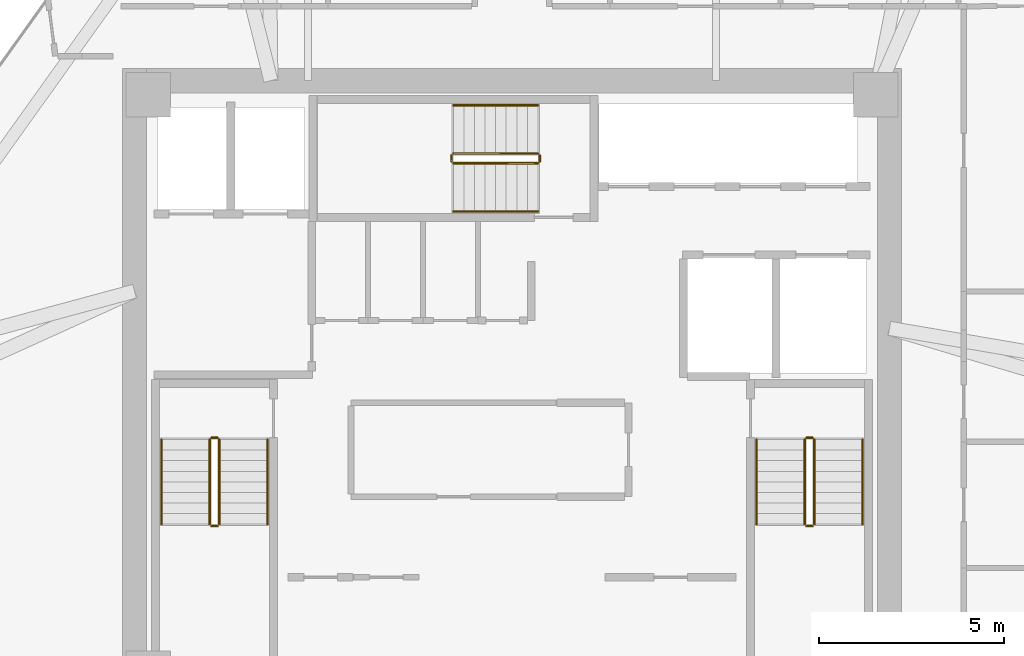
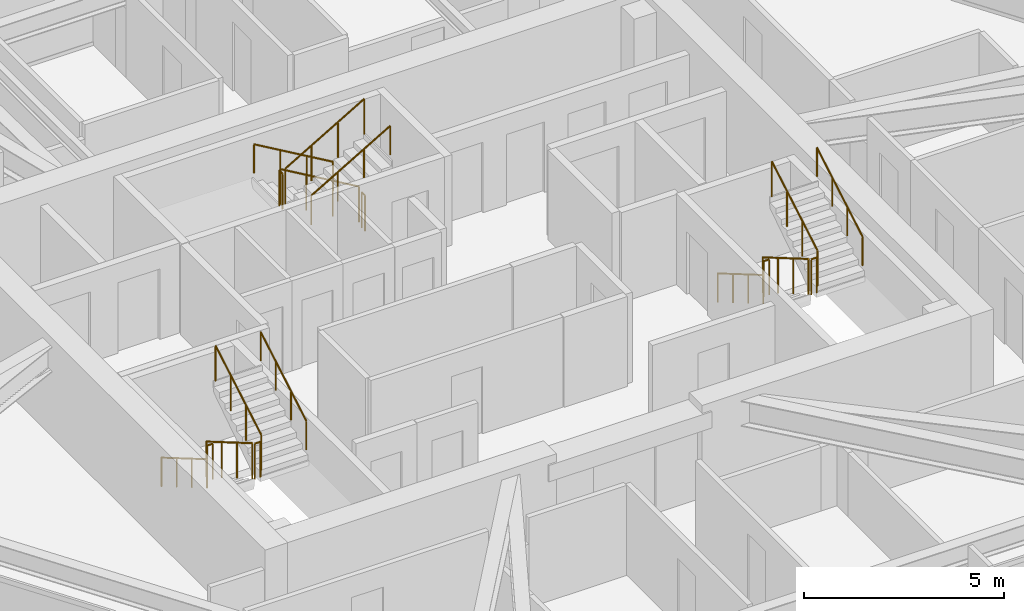
# One storey, part 15 of 15: 18 railings.
"""IFC4 building model written with IfcOpenShell, lengths in metres."""

from ifc_helpers import new_model, si_unit, direction, frame, origin, origin_2d, place, context, subcontext, project, spatial, circle, extrude, material, type_object, element, save


model = new_model("IFC4")

# Units and contexts
model_context = context("Model", 3, precision=1e-05, world=origin(), true_north=direction((0.0, 1.0)))
body_context = subcontext(model_context, "Body", "Model", "MODEL_VIEW")
ifc_project = project(units=[si_unit("LENGTHUNIT", "METRE"), si_unit("AREAUNIT", "SQUARE_METRE"), si_unit("VOLUMEUNIT", "CUBIC_METRE"), si_unit("PLANEANGLEUNIT", "RADIAN"), si_unit("MASSUNIT", "GRAM", prefix="KILO")], contexts=[model_context])

# Site, building, storey
site_placement = place(None, origin())
site = spatial("IfcSite", under=ifc_project, at=site_placement, CompositionType="ELEMENT")
building_placement = place(site_placement, origin())
building = spatial("IfcBuilding", under=site, at=building_placement, Name="Durnholm Broadcast Tower", CompositionType="ELEMENT")
storey_placement = place(building_placement, frame((0.0, 0.0, 206.199951171875)))
storey = spatial("IfcBuildingStorey", under=building, at=storey_placement, Name="L57", CompositionType="ELEMENT", Elevation=206.199951171875)

# Railings
ifc_material_1 = material(Name="Painted Tubular Steel Stair Guardrail", Category="steel")
railing_type_1 = type_object("IfcRailingType", Name="RAIL-ST-GRD", PredefinedType="GUARDRAIL", material=ifc_material_1)
railing_1_placement = place(storey_placement, frame((-8.14990234375, -1.5, 0.166748046875)))
element("IfcRailing", 1, at=railing_1_placement, inside=storey, type_object=railing_type_1, Name="L57 ST-1 stair guard 1", PredefinedType="GUARDRAIL", context=body_context, shape_type="SweptSolid", body=[
    extrude(circle(Radius=0.02392578125, at=origin_2d()), frame((0.0, 0.0, 1.076171875), z_axis=(0.0, -0.863245362884, 0.504784551527), x_axis=(1.0, 0.0, 0.0)), (0.0, 0.0, 1.0), 2.64111328125),
    extrude(circle(Radius=0.02099609375, at=origin_2d()), origin(), (0.0, 0.0, 1.0), 1.052001953125),
    extrude(circle(Radius=0.02099609375, at=origin_2d()), frame((0.0, -0.760009765625, 0.4443359375)), (0.0, 0.0, 1.0), 1.052001953125),
    extrude(circle(Radius=0.02099609375, at=origin_2d()), frame((0.0, -1.52001953125, 0.888916015625)), (0.0, 0.0, 1.0), 1.052001953125),
    extrude(circle(Radius=0.02099609375, at=origin_2d()), frame((0.0, -2.280029296875, 1.333251953125)), (0.0, 0.0, 1.0), 1.052001953125),
])
railing_2_placement = place(storey_placement, frame((-8.10009765625, -3.830078125, 1.5)))
element("IfcRailing", 2, at=railing_2_placement, inside=storey, type_object=railing_type_1, Name="L57 ST-1 stair guard 2", PredefinedType="GUARDRAIL", context=body_context, shape_type="SweptSolid", body=[
    extrude(circle(Radius=0.02392578125, at=origin_2d()), frame((0.0, 0.0, 1.076171875), z_axis=(1.0, 0.0, 0.0), x_axis=(0.0, 1.0, 0.0)), (0.0, 0.0, 1.0), 0.16015625),
    extrude(circle(Radius=0.02099609375, at=origin_2d()), origin(), (0.0, 0.0, 1.0), 1.052001953125),
    extrude(circle(Radius=0.02099609375, at=origin_2d()), frame((0.16015625, 0.0, 0.0)), (0.0, 0.0, 1.0), 1.052001953125),
])
railing_3_placement = place(storey_placement, frame((-7.889892578125, -3.780029296875, 1.666748046875)))
element("IfcRailing", 3, at=railing_3_placement, inside=storey, type_object=railing_type_1, Name="L57 ST-1 stair guard 3", PredefinedType="GUARDRAIL", context=body_context, shape_type="SweptSolid", body=[
    extrude(circle(Radius=0.02392578125, at=origin_2d()), frame((0.0, 0.0, 1.076171875), z_axis=(0.0, 0.863245362884, 0.504784551527), x_axis=(-1.0, 0.0, 0.0)), (0.0, 0.0, 1.0), 2.64111328125),
    extrude(circle(Radius=0.02099609375, at=origin_2d()), origin(), (0.0, 0.0, 1.0), 1.052001953125),
    extrude(circle(Radius=0.02099609375, at=origin_2d()), frame((0.0, 0.760009765625, 0.4443359375)), (0.0, 0.0, 1.0), 1.052001953125),
    extrude(circle(Radius=0.02099609375, at=origin_2d()), frame((0.0, 1.52001953125, 0.888916015625)), (0.0, 0.0, 1.0), 1.052001953125),
    extrude(circle(Radius=0.02099609375, at=origin_2d()), frame((0.0, 2.280029296875, 1.333251953125)), (0.0, 0.0, 1.0), 1.052001953125),
])
railing_4_placement = place(storey_placement, frame((-8.10009765625, -1.449951171875, 0.0)))
element("IfcRailing", 4, at=railing_4_placement, inside=storey, type_object=railing_type_1, Name="L57 ST-1 stair guard 4", PredefinedType="GUARDRAIL", context=body_context, shape_type="SweptSolid", body=[
    extrude(circle(Radius=0.02392578125, at=origin_2d()), frame((0.0, 0.0, 1.076171875), z_axis=(1.0, 0.0, 0.0), x_axis=(0.0, 1.0, 0.0)), (0.0, 0.0, 1.0), 0.16015625),
    extrude(circle(Radius=0.02099609375, at=origin_2d()), origin(), (0.0, 0.0, 1.0), 1.052001953125),
    extrude(circle(Radius=0.02099609375, at=origin_2d()), frame((0.16015625, 0.0, 0.0)), (0.0, 0.0, 1.0), 1.052001953125),
])
railing_5_placement = place(storey_placement, frame((7.889892578125, -1.5, 0.166748046875)))
element("IfcRailing", 5, at=railing_5_placement, inside=storey, type_object=railing_type_1, Name="L57 ST-2 stair guard 1", PredefinedType="GUARDRAIL", context=body_context, shape_type="SweptSolid", body=[
    extrude(circle(Radius=0.02392578125, at=origin_2d()), frame((0.0, 0.0, 1.076171875), z_axis=(0.0, -0.863245362884, 0.504784551527), x_axis=(1.0, 0.0, 0.0)), (0.0, 0.0, 1.0), 2.64111328125),
    extrude(circle(Radius=0.02099609375, at=origin_2d()), origin(), (0.0, 0.0, 1.0), 1.052001953125),
    extrude(circle(Radius=0.02099609375, at=origin_2d()), frame((0.0, -0.760009765625, 0.4443359375)), (0.0, 0.0, 1.0), 1.052001953125),
    extrude(circle(Radius=0.02099609375, at=origin_2d()), frame((0.0, -1.52001953125, 0.888916015625)), (0.0, 0.0, 1.0), 1.052001953125),
    extrude(circle(Radius=0.02099609375, at=origin_2d()), frame((0.0, -2.280029296875, 1.333251953125)), (0.0, 0.0, 1.0), 1.052001953125),
])
railing_6_placement = place(storey_placement, frame((7.93994140625, -3.830078125, 1.5)))
element("IfcRailing", 6, at=railing_6_placement, inside=storey, type_object=railing_type_1, Name="L57 ST-2 stair guard 2", PredefinedType="GUARDRAIL", context=body_context, shape_type="SweptSolid", body=[
    extrude(circle(Radius=0.02392578125, at=origin_2d()), frame((0.0, 0.0, 1.076171875), z_axis=(1.0, 0.0, 0.0), x_axis=(0.0, 1.0, 0.0)), (0.0, 0.0, 1.0), 0.16015625),
    extrude(circle(Radius=0.02099609375, at=origin_2d()), origin(), (0.0, 0.0, 1.0), 1.052001953125),
    extrude(circle(Radius=0.02099609375, at=origin_2d()), frame((0.16015625, 0.0, 0.0)), (0.0, 0.0, 1.0), 1.052001953125),
])
railing_7_placement = place(storey_placement, frame((8.14990234375, -3.780029296875, 1.666748046875)))
element("IfcRailing", 7, at=railing_7_placement, inside=storey, type_object=railing_type_1, Name="L57 ST-2 stair guard 3", PredefinedType="GUARDRAIL", context=body_context, shape_type="SweptSolid", body=[
    extrude(circle(Radius=0.02392578125, at=origin_2d()), frame((0.0, 0.0, 1.076171875), z_axis=(0.0, 0.863245362884, 0.504784551527), x_axis=(-1.0, 0.0, 0.0)), (0.0, 0.0, 1.0), 2.64111328125),
    extrude(circle(Radius=0.02099609375, at=origin_2d()), origin(), (0.0, 0.0, 1.0), 1.052001953125),
    extrude(circle(Radius=0.02099609375, at=origin_2d()), frame((0.0, 0.760009765625, 0.4443359375)), (0.0, 0.0, 1.0), 1.052001953125),
    extrude(circle(Radius=0.02099609375, at=origin_2d()), frame((0.0, 1.52001953125, 0.888916015625)), (0.0, 0.0, 1.0), 1.052001953125),
    extrude(circle(Radius=0.02099609375, at=origin_2d()), frame((0.0, 2.280029296875, 1.333251953125)), (0.0, 0.0, 1.0), 1.052001953125),
])
railing_8_placement = place(storey_placement, frame((7.93994140625, -1.449951171875, 0.0)))
element("IfcRailing", 8, at=railing_8_placement, inside=storey, type_object=railing_type_1, Name="L57 ST-2 stair guard 4", PredefinedType="GUARDRAIL", context=body_context, shape_type="SweptSolid", body=[
    extrude(circle(Radius=0.02392578125, at=origin_2d()), frame((0.0, 0.0, 1.076171875), z_axis=(1.0, 0.0, 0.0), x_axis=(0.0, 1.0, 0.0)), (0.0, 0.0, 1.0), 0.16015625),
    extrude(circle(Radius=0.02099609375, at=origin_2d()), origin(), (0.0, 0.0, 1.0), 1.052001953125),
    extrude(circle(Radius=0.02099609375, at=origin_2d()), frame((0.16015625, 0.0, 0.0)), (0.0, 0.0, 1.0), 1.052001953125),
])
railing_9_placement = place(storey_placement, frame((0.699951171875, 6.2099609375, 0.166748046875)))
element("IfcRailing", 9, at=railing_9_placement, inside=storey, type_object=railing_type_1, Name="L57 ST-3 stair guard 1", PredefinedType="GUARDRAIL", context=body_context, shape_type="SweptSolid", body=[
    extrude(circle(Radius=0.02392578125, at=origin_2d()), frame((0.0, 0.0, 1.076171875), z_axis=(-0.863245362884, 0.0, 0.504784551527), x_axis=(0.0, -1.0, 0.0)), (0.0, 0.0, 1.0), 2.64111328125),
    extrude(circle(Radius=0.02099609375, at=origin_2d()), origin(), (0.0, 0.0, 1.0), 1.052001953125),
    extrude(circle(Radius=0.02099609375, at=origin_2d()), frame((-0.760009765625, 0.0, 0.4443359375)), (0.0, 0.0, 1.0), 1.052001953125),
    extrude(circle(Radius=0.02099609375, at=origin_2d()), frame((-1.52001953125, 0.0, 0.888916015625)), (0.0, 0.0, 1.0), 1.052001953125),
    extrude(circle(Radius=0.02099609375, at=origin_2d()), frame((-2.280029296875, 0.0, 1.333251953125)), (0.0, 0.0, 1.0), 1.052001953125),
])
railing_10_placement = place(storey_placement, frame((-1.6298828125, 6.159912109375, 1.5)))
element("IfcRailing", 10, at=railing_10_placement, inside=storey, type_object=railing_type_1, Name="L57 ST-3 stair guard 2", PredefinedType="GUARDRAIL", context=body_context, shape_type="SweptSolid", body=[
    extrude(circle(Radius=0.02392578125, at=origin_2d()), frame((0.0, 0.0, 1.076171875), z_axis=(0.0, -1.0, 0.0), x_axis=(1.0, 0.0, 0.0)), (0.0, 0.0, 1.0), 0.159912109375),
    extrude(circle(Radius=0.02099609375, at=origin_2d()), origin(), (0.0, 0.0, 1.0), 1.052001953125),
    extrude(circle(Radius=0.02099609375, at=origin_2d()), frame((0.0, -0.159912109375, 0.0)), (0.0, 0.0, 1.0), 1.052001953125),
])
railing_11_placement = place(storey_placement, frame((-1.580078125, 5.949951171875, 1.666748046875)))
element("IfcRailing", 11, at=railing_11_placement, inside=storey, type_object=railing_type_1, Name="L57 ST-3 stair guard 3", PredefinedType="GUARDRAIL", context=body_context, shape_type="SweptSolid", body=[
    extrude(circle(Radius=0.02392578125, at=origin_2d()), frame((0.0, 0.0, 1.076171875), z_axis=(0.863245362884, 0.0, 0.504784551527), x_axis=(0.0, 1.0, 0.0)), (0.0, 0.0, 1.0), 2.64111328125),
    extrude(circle(Radius=0.02099609375, at=origin_2d()), origin(), (0.0, 0.0, 1.0), 1.052001953125),
    extrude(circle(Radius=0.02099609375, at=origin_2d()), frame((0.760009765625, 0.0, 0.4443359375)), (0.0, 0.0, 1.0), 1.052001953125),
    extrude(circle(Radius=0.02099609375, at=origin_2d()), frame((1.52001953125, 0.0, 0.888916015625)), (0.0, 0.0, 1.0), 1.052001953125),
    extrude(circle(Radius=0.02099609375, at=origin_2d()), frame((2.280029296875, 0.0, 1.333251953125)), (0.0, 0.0, 1.0), 1.052001953125),
])
railing_12_placement = place(storey_placement, frame((0.75, 6.159912109375, 0.0)))
element("IfcRailing", 12, at=railing_12_placement, inside=storey, type_object=railing_type_1, Name="L57 ST-3 stair guard 4", PredefinedType="GUARDRAIL", context=body_context, shape_type="SweptSolid", body=[
    extrude(circle(Radius=0.02392578125, at=origin_2d()), frame((0.0, 0.0, 1.076171875), z_axis=(0.0, -1.0, 0.0), x_axis=(1.0, 0.0, 0.0)), (0.0, 0.0, 1.0), 0.159912109375),
    extrude(circle(Radius=0.02099609375, at=origin_2d()), origin(), (0.0, 0.0, 1.0), 1.052001953125),
    extrude(circle(Radius=0.02099609375, at=origin_2d()), frame((0.0, -0.159912109375, 0.0)), (0.0, 0.0, 1.0), 1.052001953125),
])
ifc_material_2 = material(Name="Brushed Stainless Steel Handrail", Category="steel")
railing_type_2 = type_object("IfcRailingType", Name="RAIL-ST-HND", PredefinedType="HANDRAIL", material=ifc_material_2)
railing_13_placement = place(storey_placement, frame((-9.449951171875, -1.5, 0.33349609375)))
element("IfcRailing", 13, at=railing_13_placement, inside=storey, type_object=railing_type_2, Name="L57 ST-1 stair handrail 1", PredefinedType="HANDRAIL", context=body_context, shape_type="SweptSolid", body=[
    extrude(circle(Radius=0.02392578125, at=origin_2d()), frame((0.0, 0.0, 0.8759765625), z_axis=(0.0, -0.863245362884, 0.504784551527), x_axis=(1.0, 0.0, 0.0)), (0.0, 0.0, 1.0), 2.64111328125),
    extrude(circle(Radius=0.02099609375, at=origin_2d()), origin(), (0.0, 0.0, 1.0), 0.851806640625),
    extrude(circle(Radius=0.02099609375, at=origin_2d()), frame((0.0, -0.760009765625, 0.4443359375)), (0.0, 0.0, 1.0), 0.851806640625),
    extrude(circle(Radius=0.02099609375, at=origin_2d()), frame((0.0, -1.52001953125, 0.888916015625)), (0.0, 0.0, 1.0), 0.851806640625),
    extrude(circle(Radius=0.02099609375, at=origin_2d()), frame((0.0, -2.280029296875, 1.333251953125)), (0.0, 0.0, 1.0), 0.851806640625),
])
railing_14_placement = place(storey_placement, frame((-6.590087890625, -3.780029296875, 1.83349609375)))
element("IfcRailing", 14, at=railing_14_placement, inside=storey, type_object=railing_type_2, Name="L57 ST-1 stair handrail 2", PredefinedType="HANDRAIL", context=body_context, shape_type="SweptSolid", body=[
    extrude(circle(Radius=0.02392578125, at=origin_2d()), frame((0.0, 0.0, 0.8759765625), z_axis=(0.0, 0.863245362884, 0.504784551527), x_axis=(-1.0, 0.0, 0.0)), (0.0, 0.0, 1.0), 2.64111328125),
    extrude(circle(Radius=0.02099609375, at=origin_2d()), origin(), (0.0, 0.0, 1.0), 0.851806640625),
    extrude(circle(Radius=0.02099609375, at=origin_2d()), frame((0.0, 0.760009765625, 0.4443359375)), (0.0, 0.0, 1.0), 0.851806640625),
    extrude(circle(Radius=0.02099609375, at=origin_2d()), frame((0.0, 1.52001953125, 0.888916015625)), (0.0, 0.0, 1.0), 0.851806640625),
    extrude(circle(Radius=0.02099609375, at=origin_2d()), frame((0.0, 2.280029296875, 1.333251953125)), (0.0, 0.0, 1.0), 0.851806640625),
])
railing_15_placement = place(storey_placement, frame((6.590087890625, -1.5, 0.33349609375)))
element("IfcRailing", 15, at=railing_15_placement, inside=storey, type_object=railing_type_2, Name="L57 ST-2 stair handrail 1", PredefinedType="HANDRAIL", context=body_context, shape_type="SweptSolid", body=[
    extrude(circle(Radius=0.02392578125, at=origin_2d()), frame((0.0, 0.0, 0.8759765625), z_axis=(0.0, -0.863245362884, 0.504784551527), x_axis=(1.0, 0.0, 0.0)), (0.0, 0.0, 1.0), 2.64111328125),
    extrude(circle(Radius=0.02099609375, at=origin_2d()), origin(), (0.0, 0.0, 1.0), 0.851806640625),
    extrude(circle(Radius=0.02099609375, at=origin_2d()), frame((0.0, -0.760009765625, 0.4443359375)), (0.0, 0.0, 1.0), 0.851806640625),
    extrude(circle(Radius=0.02099609375, at=origin_2d()), frame((0.0, -1.52001953125, 0.888916015625)), (0.0, 0.0, 1.0), 0.851806640625),
    extrude(circle(Radius=0.02099609375, at=origin_2d()), frame((0.0, -2.280029296875, 1.333251953125)), (0.0, 0.0, 1.0), 0.851806640625),
])
railing_16_placement = place(storey_placement, frame((9.449951171875, -3.780029296875, 1.83349609375)))
element("IfcRailing", 16, at=railing_16_placement, inside=storey, type_object=railing_type_2, Name="L57 ST-2 stair handrail 2", PredefinedType="HANDRAIL", context=body_context, shape_type="SweptSolid", body=[
    extrude(circle(Radius=0.02392578125, at=origin_2d()), frame((0.0, 0.0, 0.8759765625), z_axis=(0.0, 0.863245362884, 0.504784551527), x_axis=(-1.0, 0.0, 0.0)), (0.0, 0.0, 1.0), 2.64111328125),
    extrude(circle(Radius=0.02099609375, at=origin_2d()), origin(), (0.0, 0.0, 1.0), 0.851806640625),
    extrude(circle(Radius=0.02099609375, at=origin_2d()), frame((0.0, 0.760009765625, 0.4443359375)), (0.0, 0.0, 1.0), 0.851806640625),
    extrude(circle(Radius=0.02099609375, at=origin_2d()), frame((0.0, 1.52001953125, 0.888916015625)), (0.0, 0.0, 1.0), 0.851806640625),
    extrude(circle(Radius=0.02099609375, at=origin_2d()), frame((0.0, 2.280029296875, 1.333251953125)), (0.0, 0.0, 1.0), 0.851806640625),
])
railing_17_placement = place(storey_placement, frame((0.699951171875, 7.510009765625, 0.33349609375)))
element("IfcRailing", 17, at=railing_17_placement, inside=storey, type_object=railing_type_2, Name="L57 ST-3 stair handrail 1", PredefinedType="HANDRAIL", context=body_context, shape_type="SweptSolid", body=[
    extrude(circle(Radius=0.02392578125, at=origin_2d()), frame((0.0, 0.0, 0.8759765625), z_axis=(-0.863245362884, 0.0, 0.504784551527), x_axis=(0.0, -1.0, 0.0)), (0.0, 0.0, 1.0), 2.64111328125),
    extrude(circle(Radius=0.02099609375, at=origin_2d()), origin(), (0.0, 0.0, 1.0), 0.851806640625),
    extrude(circle(Radius=0.02099609375, at=origin_2d()), frame((-0.760009765625, 0.0, 0.4443359375)), (0.0, 0.0, 1.0), 0.851806640625),
    extrude(circle(Radius=0.02099609375, at=origin_2d()), frame((-1.52001953125, 0.0, 0.888916015625)), (0.0, 0.0, 1.0), 0.851806640625),
    extrude(circle(Radius=0.02099609375, at=origin_2d()), frame((-2.280029296875, 0.0, 1.333251953125)), (0.0, 0.0, 1.0), 0.851806640625),
])
railing_18_placement = place(storey_placement, frame((-1.580078125, 4.64990234375, 1.83349609375)))
element("IfcRailing", 18, at=railing_18_placement, inside=storey, type_object=railing_type_2, Name="L57 ST-3 stair handrail 2", PredefinedType="HANDRAIL", context=body_context, shape_type="SweptSolid", body=[
    extrude(circle(Radius=0.02392578125, at=origin_2d()), frame((0.0, 0.0, 0.8759765625), z_axis=(0.863245362884, 0.0, 0.504784551527), x_axis=(0.0, 1.0, 0.0)), (0.0, 0.0, 1.0), 2.64111328125),
    extrude(circle(Radius=0.02099609375, at=origin_2d()), origin(), (0.0, 0.0, 1.0), 0.851806640625),
    extrude(circle(Radius=0.02099609375, at=origin_2d()), frame((0.760009765625, 0.0, 0.4443359375)), (0.0, 0.0, 1.0), 0.851806640625),
    extrude(circle(Radius=0.02099609375, at=origin_2d()), frame((1.52001953125, 0.0, 0.888916015625)), (0.0, 0.0, 1.0), 0.851806640625),
    extrude(circle(Radius=0.02099609375, at=origin_2d()), frame((2.280029296875, 0.0, 1.333251953125)), (0.0, 0.0, 1.0), 0.851806640625),
])

save(model, "model.ifc")
